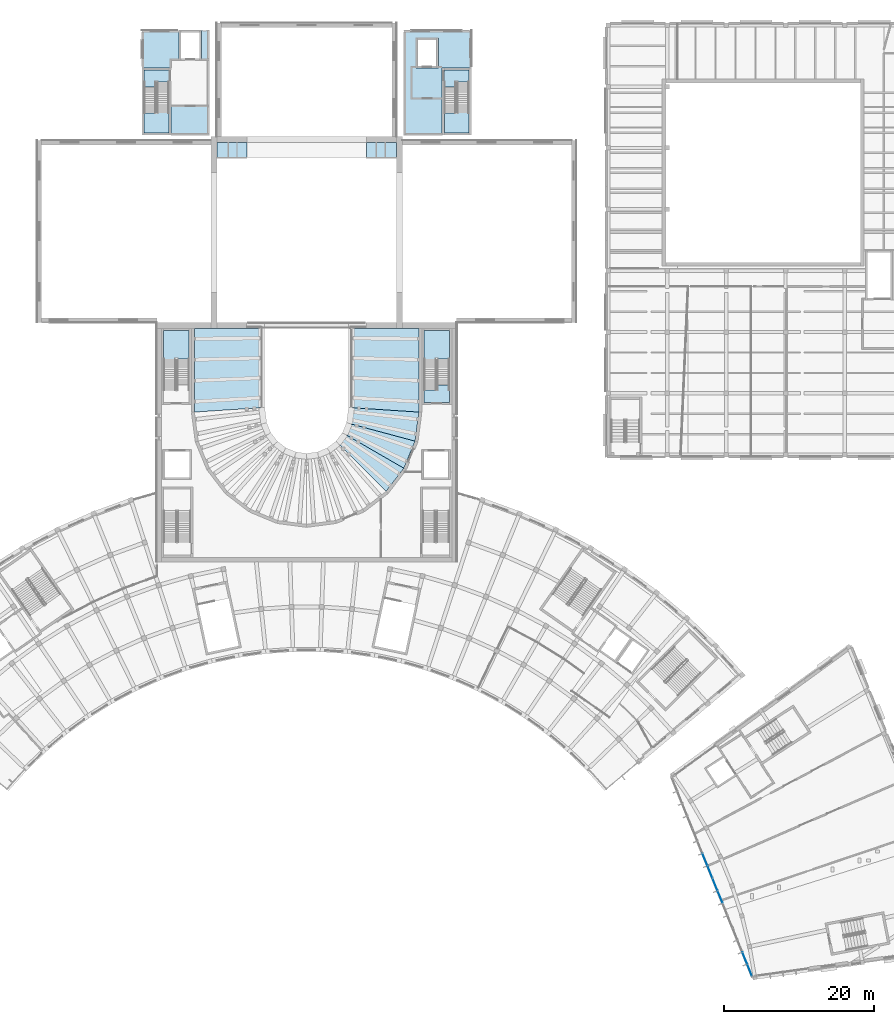
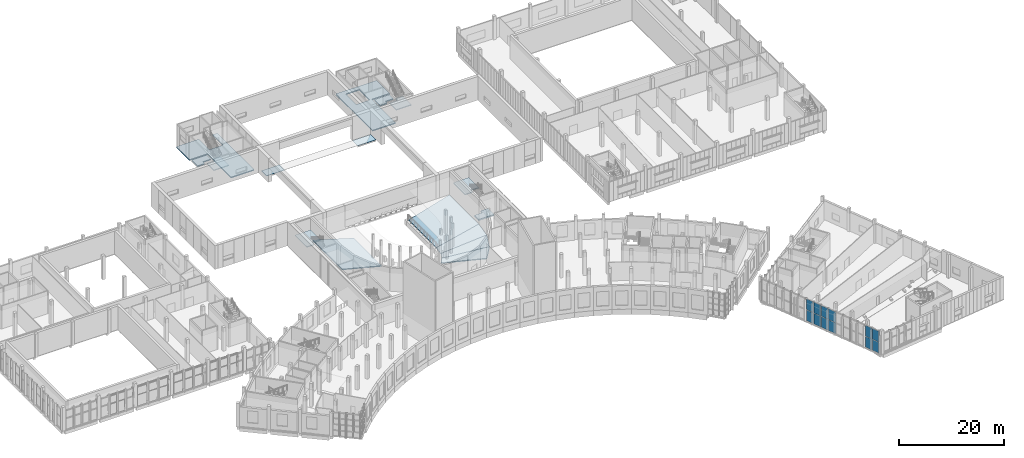
# One storey, part 28 of 87: 16 slabs, 12 plates, 7 elements without a shape of their own.
"""IFC4 building model written with IfcOpenShell, lengths in metres."""

from ifc_helpers import new_model, si_unit, direction, frame, origin, origin_2d, place, context, subcontext, project, spatial, polyline, rectangle, outline, extrude, material, layer, layer_set, type_object, element, aggregate, save


model = new_model("IFC4")

# Units and contexts
model_context = context("Model", 3, precision=1e-05, world=origin(), true_north=direction((0.0, 1.0)))
body_context = subcontext(model_context, "Body", "Model", "MODEL_VIEW")
ifc_project = project(units=[si_unit("LENGTHUNIT", "METRE"), si_unit("AREAUNIT", "SQUARE_METRE"), si_unit("VOLUMEUNIT", "CUBIC_METRE"), si_unit("PLANEANGLEUNIT", "RADIAN"), si_unit("MASSUNIT", "GRAM", prefix="KILO")], contexts=[model_context])

# Site, building, storey
site_placement = place(None, origin())
site = spatial("IfcSite", under=ifc_project, at=site_placement, CompositionType="ELEMENT")
building_placement = place(site_placement, origin())
building = spatial("IfcBuilding", under=site, at=building_placement, Name="Lunette Opera House", CompositionType="ELEMENT")
storey_placement = place(building_placement, frame((0.0, 0.0, 11.5)))
storey = spatial("IfcBuildingStorey", under=building, at=storey_placement, Name="L02", CompositionType="ELEMENT", Elevation=11.5)

# Slabs
ifc_material_1 = material(Name="Concrete C35/45", Category="concrete")
ifc_layer_1 = layer(ifc_material_1, 0.219970703125)
ifc_layer_set_1 = layer_set([ifc_layer_1], Name="Concrete C35/45")
slab_type_1 = type_object("IfcSlabType", Name="CORE LANDING SLAB 220", PredefinedType="LANDING", material=ifc_layer_set_1)
slab_1_placement = place(storey_placement, frame((0.0, 0.0, -0.219970703125)))
element("IfcSlab", 1, at=slab_1_placement, inside=storey, type_object=slab_type_1, Name="ST11 floor landing", PredefinedType="LANDING", context=body_context, shape_type="SweptSolid", body=[
    extrude(outline(polyline([(77.60009765625, 129.699951171875), (77.60009765625, 128.139892578125), (76.050048828125, 128.139892578125), (76.050048828125, 128.14990234375), (75.85009765625, 128.14990234375), (75.85009765625, 127.449951171875), (74.300048828125, 127.449951171875), (74.300048828125, 129.699951171875), (77.60009765625, 129.699951171875)])), origin(), (0.0, 0.0, 1.0), 0.219970703125),
])
slab_2_placement = place(storey_placement, frame((0.0, 0.0, -0.219970703125)))
element("IfcSlab", 2, at=slab_2_placement, inside=storey, type_object=slab_type_1, Name="ST12 floor landing", PredefinedType="LANDING", context=body_context, shape_type="SweptSolid", body=[
    extrude(outline(polyline([(117.699951171875, 128.139892578125), (116.14990234375, 128.139892578125), (116.14990234375, 128.14990234375), (115.949951171875, 128.14990234375), (115.949951171875, 127.449951171875), (114.39990234375, 127.449951171875), (114.39990234375, 129.699951171875), (117.699951171875, 129.699951171875), (117.699951171875, 128.139892578125)])), origin(), (0.0, 0.0, 1.0), 0.219970703125),
])
ifc_material_2 = material(Name="Concrete C35/45", Category="concrete")
ifc_layer_2 = layer(ifc_material_2, 0.300048828125)
ifc_layer_set_2 = layer_set([ifc_layer_2], Name="Concrete C35/45")
slab_type_2 = type_object("IfcSlabType", Name="CORE LANDING SLAB 300", PredefinedType="LANDING", material=ifc_layer_set_2)
slab_3_placement = place(storey_placement, frame((0.0, 0.0, -0.300048828125)))
element("IfcSlab", 3, at=slab_3_placement, inside=storey, type_object=slab_type_2, Name="ST9 floor landing", PredefinedType="LANDING", context=body_context, shape_type="SweptSolid", body=[
    extrude(outline(polyline([(111.699951171875, 85.300048828125), (111.699951171875, 86.929931640625), (113.320068359375, 86.929931640625), (113.320068359375, 86.919921875), (113.47998046875, 86.919921875), (113.47998046875, 87.6201171875), (115.10009765625, 87.6201171875), (115.10009765625, 85.300048828125), (111.699951171875, 85.300048828125)])), origin(), (0.0, 0.0, 1.0), 0.300048828125),
])

# Curtain wall, plates
ifc_material_3 = material(Name="Aluminium", Category="aluminium")
ifc_layer_3 = layer(ifc_material_3, 0.139892578125)
ifc_layer_set_3 = layer_set([ifc_layer_3], Name="Aluminium")
curtain_wall_type = type_object("IfcCurtainWallType", Name="STUDIO CURTAIN WALL", PredefinedType="NOTDEFINED", material=ifc_layer_set_3)
curtain_wall_1_placement = place(storey_placement, origin())
curtain_wall_1 = element("IfcCurtainWall", 4, at=curtain_wall_1_placement, inside=storey, type_object=curtain_wall_type, Name="Studio Curtain Wall F02 L02", PredefinedType="NOTDEFINED")
ifc_material_4 = material(Name="Laminated glass", Category="glass")
ifc_layer_4 = layer(ifc_material_4, 0.028076171875)
ifc_layer_set_4 = layer_set([ifc_layer_4], Name="Laminated glass")
plate_type = type_object("IfcPlateType", Name="CURTAIN PANEL LAMINATED GLASS 28", PredefinedType="CURTAIN_PANEL", material=ifc_layer_set_4)
plate_1_placement = place(storey_placement, frame((149.237060546875, 24.204833984375, 0.06005859375), z_axis=(0.0, 0.0, 1.0), x_axis=(0.374597237762, -0.927187634441, 0.0)))
plate_1 = element("IfcPlate", 5, at=plate_1_placement, type_object=plate_type, Name="SB-X2014 panel 3.1", PredefinedType="CURTAIN_PANEL", context=body_context, shape_type="SweptSolid", body=[
    extrude(rectangle(XDim=1.7265625, YDim=0.028076171875, at=origin_2d()), origin(), (0.0, 0.0, 1.0), 2.510009765625),
])
plate_2_placement = place(storey_placement, frame((149.237060546875, 24.204833984375, 2.6298828125), z_axis=(0.0, 0.0, 1.0), x_axis=(0.374597237762, -0.927187634441, 0.0)))
plate_2 = element("IfcPlate", 6, at=plate_2_placement, type_object=plate_type, Name="SB-X2014 panel 3.2", PredefinedType="CURTAIN_PANEL", context=body_context, shape_type="SweptSolid", body=[
    extrude(rectangle(XDim=1.7265625, YDim=0.028076171875, at=origin_2d()), origin(), (0.0, 0.0, 1.0), 2.510009765625),
])
plate_3_placement = place(storey_placement, frame((149.900634765625, 22.562255859375, 0.06005859375), z_axis=(0.0, 0.0, 1.0), x_axis=(0.374597237762, -0.927187634441, 0.0)))
plate_3 = element("IfcPlate", 7, at=plate_3_placement, type_object=plate_type, Name="SB-X2014 panel 4.1", PredefinedType="CURTAIN_PANEL", context=body_context, shape_type="SweptSolid", body=[
    extrude(rectangle(XDim=1.696533203125, YDim=0.028076171875, at=origin_2d()), origin(), (0.0, 0.0, 1.0), 2.510009765625),
])
plate_4_placement = place(storey_placement, frame((149.900634765625, 22.562255859375, 2.6298828125), z_axis=(0.0, 0.0, 1.0), x_axis=(0.374597237762, -0.927187634441, 0.0)))
plate_4 = element("IfcPlate", 8, at=plate_4_placement, type_object=plate_type, Name="SB-X2014 panel 4.2", PredefinedType="CURTAIN_PANEL", context=body_context, shape_type="SweptSolid", body=[
    extrude(rectangle(XDim=1.696533203125, YDim=0.028076171875, at=origin_2d()), origin(), (0.0, 0.0, 1.0), 2.510009765625),
])
aggregate(curtain_wall_1, [plate_1, plate_2, plate_3, plate_4])

curtain_wall_2_placement = place(storey_placement, origin())
curtain_wall_2 = element("IfcCurtainWall", 9, at=curtain_wall_2_placement, inside=storey, type_object=curtain_wall_type, Name="Studio Curtain Wall F03 L02", PredefinedType="NOTDEFINED")
plate_5_placement = place(storey_placement, frame((150.59228515625, 20.849853515625, 0.06005859375), z_axis=(0.0, 0.0, 1.0), x_axis=(0.37464584491, -0.927167994967, 0.0)))
plate_5 = element("IfcPlate", 10, at=plate_5_placement, type_object=plate_type, Name="SB-X2015 panel 1.1", PredefinedType="CURTAIN_PANEL", context=body_context, shape_type="SweptSolid", body=[
    extrude(rectangle(XDim=1.6962890625, YDim=0.028076171875, at=origin_2d()), origin(), (0.0, 0.0, 1.0), 2.510009765625),
])
plate_6_placement = place(storey_placement, frame((150.59228515625, 20.849853515625, 2.6298828125), z_axis=(0.0, 0.0, 1.0), x_axis=(0.37464584491, -0.927167994967, 0.0)))
plate_6 = element("IfcPlate", 11, at=plate_6_placement, type_object=plate_type, Name="SB-X2015 panel 1.2", PredefinedType="CURTAIN_PANEL", context=body_context, shape_type="SweptSolid", body=[
    extrude(rectangle(XDim=1.6962890625, YDim=0.028076171875, at=origin_2d()), origin(), (0.0, 0.0, 1.0), 2.510009765625),
])
plate_7_placement = place(storey_placement, frame((151.255859375, 19.20751953125, 0.06005859375), z_axis=(0.0, 0.0, 1.0), x_axis=(0.37464584491, -0.927167994967, 0.0)))
plate_7 = element("IfcPlate", 12, at=plate_7_placement, type_object=plate_type, Name="SB-X2015 panel 2.1", PredefinedType="CURTAIN_PANEL", context=body_context, shape_type="SweptSolid", body=[
    extrude(rectangle(XDim=1.726318359375, YDim=0.028076171875, at=origin_2d()), origin(), (0.0, 0.0, 1.0), 2.510009765625),
])
plate_8_placement = place(storey_placement, frame((151.255859375, 19.20751953125, 2.6298828125), z_axis=(0.0, 0.0, 1.0), x_axis=(0.37464584491, -0.927167994967, 0.0)))
plate_8 = element("IfcPlate", 13, at=plate_8_placement, type_object=plate_type, Name="SB-X2015 panel 2.2", PredefinedType="CURTAIN_PANEL", context=body_context, shape_type="SweptSolid", body=[
    extrude(rectangle(XDim=1.726318359375, YDim=0.028076171875, at=origin_2d()), origin(), (0.0, 0.0, 1.0), 2.510009765625),
])
aggregate(curtain_wall_2, [plate_5, plate_6, plate_7, plate_8])

curtain_wall_3_placement = place(storey_placement, origin())
curtain_wall_3 = element("IfcCurtainWall", 14, at=curtain_wall_3_placement, inside=storey, type_object=curtain_wall_type, Name="Studio Curtain Wall F04 L02", PredefinedType="NOTDEFINED")
plate_9_placement = place(storey_placement, frame((154.556884765625, 11.037109375, 0.06005859375), z_axis=(0.0, 0.0, 1.0), x_axis=(0.374609092545, -0.927182844849, 0.0)))
plate_9 = element("IfcPlate", 15, at=plate_9_placement, type_object=plate_type, Name="SB-X2016 panel 3.1", PredefinedType="CURTAIN_PANEL", context=body_context, shape_type="SweptSolid", body=[
    extrude(rectangle(XDim=1.66650390625, YDim=0.028076171875, at=origin_2d()), origin(), (0.0, 0.0, 1.0), 2.510009765625),
])
plate_10_placement = place(storey_placement, frame((154.556884765625, 11.037109375, 2.6298828125), z_axis=(0.0, 0.0, 1.0), x_axis=(0.374609092545, -0.927182844849, 0.0)))
plate_10 = element("IfcPlate", 16, at=plate_10_placement, type_object=plate_type, Name="SB-X2016 panel 3.2", PredefinedType="CURTAIN_PANEL", context=body_context, shape_type="SweptSolid", body=[
    extrude(rectangle(XDim=1.66650390625, YDim=0.028076171875, at=origin_2d()), origin(), (0.0, 0.0, 1.0), 2.510009765625),
])
plate_11_placement = place(storey_placement, frame((155.197998046875, 9.4501953125, 0.06005859375), z_axis=(0.0, 0.0, 1.0), x_axis=(0.374609092545, -0.927182844849, 0.0)))
plate_11 = element("IfcPlate", 17, at=plate_11_placement, type_object=plate_type, Name="SB-X2016 panel 4.1", PredefinedType="CURTAIN_PANEL", context=body_context, shape_type="SweptSolid", body=[
    extrude(rectangle(XDim=1.636474609375, YDim=0.028076171875, at=origin_2d()), origin(), (0.0, 0.0, 1.0), 2.510009765625),
])
plate_12_placement = place(storey_placement, frame((155.197998046875, 9.4501953125, 2.6298828125), z_axis=(0.0, 0.0, 1.0), x_axis=(0.374609092545, -0.927182844849, 0.0)))
plate_12 = element("IfcPlate", 18, at=plate_12_placement, type_object=plate_type, Name="SB-X2016 panel 4.2", PredefinedType="CURTAIN_PANEL", context=body_context, shape_type="SweptSolid", body=[
    extrude(rectangle(XDim=1.636474609375, YDim=0.028076171875, at=origin_2d()), origin(), (0.0, 0.0, 1.0), 2.510009765625),
])
aggregate(curtain_wall_3, [plate_9, plate_10, plate_11, plate_12])

# Slabs
ifc_material_5 = material(Name="Concrete C35/45", Category="concrete")
ifc_layer_5 = layer(ifc_material_5, 0.219970703125)
ifc_layer_set_5 = layer_set([ifc_layer_5], Name="Concrete C35/45")
slab_type_3 = type_object("IfcSlabType", Name="FLOOR SLAB 220", PredefinedType="FLOOR", material=ifc_layer_set_5)
slab_4_placement = place(storey_placement, frame((0.0, 0.0, -0.219970703125)))
element("IfcSlab", 19, at=slab_4_placement, inside=storey, type_object=slab_type_3, Name="slab-ST-L02-F1", PredefinedType="FLOOR", context=body_context, shape_type="SweptSolid", body=[
    extrude(outline(polyline([(78.949951171875, 135.0), (74.0, 135.0), (74.0, 130.0), (77.89990234375, 130.0), (77.89990234375, 121.0), (83.0, 121.0), (83.0, 135.0), (81.949951171875, 135.0), (81.949951171875, 131.0), (78.949951171875, 131.0), (78.949951171875, 135.0)])), origin(), (0.0, 0.0, 1.0), 0.219970703125),
])
slab_5_placement = place(storey_placement, frame((0.0, 0.0, -0.219970703125)))
element("IfcSlab", 20, at=slab_5_placement, inside=storey, type_object=slab_type_3, Name="slab-ST-L02-F2", PredefinedType="FLOOR", context=body_context, shape_type="SweptSolid", body=[
    extrude(outline(polyline([(109.0, 121.0), (114.10009765625, 121.0), (114.10009765625, 130.0), (118.0, 130.0), (118.0, 135.0), (109.0, 135.0), (109.0, 121.0)]), holes=[polyline([(110.60009765625, 130.0), (110.60009765625, 134.0), (113.60009765625, 134.0), (113.60009765625, 130.0), (110.60009765625, 130.0)])]), origin(), (0.0, 0.0, 1.0), 0.219970703125),
])
ifc_material_6 = material(Name="Steel S235 grating", Category="steel")
ifc_layer_6 = layer(ifc_material_6, 0.06005859375)
ifc_layer_set_6 = layer_set([ifc_layer_6], Name="Steel S235 grating")
slab_type_4 = type_object("IfcSlabType", Name="GALLERY GRATING 60", PredefinedType="LANDING", material=ifc_layer_set_6)
slab_6_placement = place(storey_placement, frame((0.0, 0.0, -0.06005859375)))
element("IfcSlab", 21, at=slab_6_placement, inside=storey, type_object=slab_type_4, Name="slab-ST-L02-FG1-1", PredefinedType="LANDING", context=body_context, shape_type="SweptSolid", body=[
    extrude(outline(polyline([(88.0, 118.0), (88.0, 120.0), (84.0, 120.0), (84.0, 118.0), (88.0, 118.0)])), origin(), (0.0, 0.0, 1.0), 0.06005859375),
])
slab_7_placement = place(storey_placement, frame((0.0, 0.0, -0.06005859375)))
element("IfcSlab", 22, at=slab_7_placement, inside=storey, type_object=slab_type_4, Name="slab-ST-L02-FG1-2", PredefinedType="LANDING", context=body_context, shape_type="SweptSolid", body=[
    extrude(outline(polyline([(108.0, 118.0), (108.0, 120.0), (104.0, 120.0), (104.0, 118.0), (108.0, 118.0)])), origin(), (0.0, 0.0, 1.0), 0.06005859375),
])

# Stair, slab
ifc_material_7 = material(Name="Concrete C35/45", Category="concrete")
stair_type_1 = type_object("IfcStairType", Name="DOGLEG STAIR 1620", PredefinedType="HALF_TURN_STAIR", material=ifc_material_7)
stair_1_placement = place(storey_placement, origin())
stair_1 = element("IfcStair", 23, at=stair_1_placement, inside=storey, type_object=stair_type_1, Name="L02 stair ST10", PredefinedType="HALF_TURN_STAIR")
ifc_material_8 = material(Name="Concrete C35/45", Category="concrete")
ifc_layer_7 = layer(ifc_material_8, 0.199951171875)
ifc_layer_set_7 = layer_set([ifc_layer_7], Name="Concrete C35/45")
slab_type_5 = type_object("IfcSlabType", Name="STAIR LANDING SLAB 200", PredefinedType="LANDING", material=ifc_layer_set_7)
slab_8_placement = place(storey_placement, frame((0.0, 0.0, 2.550048828125)))
slab_8 = element("IfcSlab", 24, at=slab_8_placement, type_object=slab_type_5, Name="ST10 landing 1", PredefinedType="LANDING", context=body_context, shape_type="SweptSolid", body=[
    extrude(outline(polyline([(80.300048828125, 91.110107421875), (78.679931640625, 91.110107421875), (78.679931640625, 91.1201171875), (78.52001953125, 91.1201171875), (78.52001953125, 90.419921875), (76.89990234375, 90.419921875), (76.89990234375, 94.89990234375), (80.300048828125, 94.89990234375), (80.300048828125, 91.110107421875)])), origin(), (0.0, 0.0, 1.0), 0.199951171875),
])
aggregate(stair_1, [slab_8])

ifc_material_9 = material(Name="Concrete C35/45", Category="concrete")
stair_type_2 = type_object("IfcStairType", Name="DOGLEG STAIR 1550", PredefinedType="HALF_TURN_STAIR", material=ifc_material_9)
stair_2_placement = place(storey_placement, origin())
stair_2 = element("IfcStair", 25, at=stair_2_placement, inside=storey, type_object=stair_type_2, Name="L02 stair ST11", PredefinedType="HALF_TURN_STAIR")
slab_9_placement = place(storey_placement, frame((0.0, 0.0, 2.550048828125)))
slab_9 = element("IfcSlab", 26, at=slab_9_placement, type_object=slab_type_5, Name="ST11 landing 1", PredefinedType="LANDING", context=body_context, shape_type="SweptSolid", body=[
    extrude(outline(polyline([(74.300048828125, 121.300048828125), (74.300048828125, 123.9599609375), (75.85009765625, 123.9599609375), (75.85009765625, 123.949951171875), (76.050048828125, 123.949951171875), (76.050048828125, 124.64990234375), (77.60009765625, 124.64990234375), (77.60009765625, 121.300048828125), (74.300048828125, 121.300048828125)])), origin(), (0.0, 0.0, 1.0), 0.199951171875),
])
aggregate(stair_2, [slab_9])

stair_3_placement = place(storey_placement, origin())
stair_3 = element("IfcStair", 27, at=stair_3_placement, inside=storey, type_object=stair_type_2, Name="L02 stair ST12", PredefinedType="HALF_TURN_STAIR")
slab_10_placement = place(storey_placement, frame((0.0, 0.0, 2.550048828125)))
slab_10 = element("IfcSlab", 28, at=slab_10_placement, type_object=slab_type_5, Name="ST12 landing 1", PredefinedType="LANDING", context=body_context, shape_type="SweptSolid", body=[
    extrude(outline(polyline([(114.39990234375, 121.300048828125), (114.39990234375, 123.9599609375), (115.949951171875, 123.9599609375), (115.949951171875, 123.949951171875), (116.14990234375, 123.949951171875), (116.14990234375, 124.64990234375), (117.699951171875, 124.64990234375), (117.699951171875, 121.300048828125), (114.39990234375, 121.300048828125)])), origin(), (0.0, 0.0, 1.0), 0.199951171875),
])
aggregate(stair_3, [slab_10])

stair_4_placement = place(storey_placement, origin())
stair_4 = element("IfcStair", 29, at=stair_4_placement, inside=storey, type_object=stair_type_1, Name="L02 stair ST9", PredefinedType="HALF_TURN_STAIR")
slab_11_placement = place(storey_placement, frame((0.0, 0.0, 2.550048828125)))
slab_11 = element("IfcSlab", 30, at=slab_11_placement, type_object=slab_type_5, Name="ST9 landing 1", PredefinedType="LANDING", context=body_context, shape_type="SweptSolid", body=[
    extrude(outline(polyline([(115.10009765625, 94.89990234375), (115.10009765625, 91.110107421875), (113.47998046875, 91.110107421875), (113.47998046875, 91.1201171875), (113.320068359375, 91.1201171875), (113.320068359375, 90.419921875), (111.699951171875, 90.419921875), (111.699951171875, 94.89990234375), (115.10009765625, 94.89990234375)])), origin(), (0.0, 0.0, 1.0), 0.199951171875),
])
aggregate(stair_4, [slab_11])

# Slabs
ifc_material_10 = material(Name="Concrete C35/45", Category="concrete")
ifc_layer_8 = layer(ifc_material_10, 0.199951171875)
ifc_layer_set_8 = layer_set([ifc_layer_8], Name="Concrete C35/45")
slab_type_6 = type_object("IfcSlabType", Name="TIER SLAB 200", PredefinedType="FLOOR", material=ifc_layer_set_8)
slab_12_placement = place(storey_placement, frame((81.0, 95.199951171875, 0.0), z_axis=(0.287343118088, 0.0, 0.957827715452), x_axis=(0.0, -1.0, 0.0)))
element("IfcSlab", 31, at=slab_12_placement, inside=storey, type_object=slab_type_6, Name="slab-AU-L02-T1-01", PredefinedType="FLOOR", context=body_context, shape_type="SweptSolid", body=[
    extrude(outline(polyline([(0.0, 0.0), (11.199951171875, 0.0), (10.60986328125, 9.396261827477414), (0.0, 9.396261827477414), (0.0, 0.0)])), origin(), (0.0, 0.0, -1.0), 0.199951171875),
])
slab_13_placement = place(storey_placement, frame((106.60693359375, 73.39306640625, 0.0), z_axis=(-0.22800640681, 0.17487084434, 0.957827367668), x_axis=(0.608601979405, 0.793475664761, 9.804524e-06)))
element("IfcSlab", 32, at=slab_13_placement, inside=storey, type_object=slab_type_6, Name="slab-AU-L02-T1-11", PredefinedType="FLOOR", context=body_context, shape_type="SweptSolid", body=[
    extrude(outline(polyline([(0.0, 0.0), (3.9156091871882097, 0.0), (2.732947076873332, 9.396317174831406), (1.1866676042862887, 9.396130808772918), (0.0, 0.0)])), origin(), (0.0, 0.0, -1.0), 0.199951171875),
])
slab_14_placement = place(storey_placement, frame((108.989990234375, 76.5, 0.0), z_axis=(-0.265461233562, 0.110009457396, 0.957824750546), x_axis=(0.382782508552, 0.923838487415, -1.7804735e-05)))
element("IfcSlab", 33, at=slab_14_placement, inside=storey, type_object=slab_type_6, Name="slab-AU-L02-T1-12", PredefinedType="FLOOR", context=body_context, shape_type="SweptSolid", body=[
    extrude(outline(polyline([(0.0, 0.0), (3.916173619998859, 2.220446049250313e-16), (2.730167715783552, 9.39576951281199), (1.184323258720519, 9.396107945972462), (0.0, 0.0)])), origin(), (0.0, 0.0, -1.0), 0.199951171875),
])
slab_15_placement = place(storey_placement, frame((110.489013671875, 80.117919921875, 0.0), z_axis=(-0.284893347547, 0.037480785163, 0.95782616965), x_axis=(0.130495960847, 0.991448840779, 1.7905259e-05)))
element("IfcSlab", 34, at=slab_15_placement, inside=storey, type_object=slab_type_6, Name="slab-AU-L02-T1-13", PredefinedType="FLOOR", context=body_context, shape_type="SweptSolid", body=[
    extrude(outline(polyline([(0.0, 0.0), (3.9155654451366275, -5.551115123125783e-17), (3.3260954093092314, 9.39630060825405), (1.184787791471757, 9.395923192099964), (0.0, 0.0)])), origin(), (0.0, 0.0, -1.0), 0.199951171875),
])
slab_16_placement = place(storey_placement, frame((111.0, 84.0, 0.0), z_axis=(-0.287343118088, 0.0, 0.957827715452), x_axis=(0.0, 1.0, 0.0)))
element("IfcSlab", 35, at=slab_16_placement, inside=storey, type_object=slab_type_6, Name="slab-AU-L02-T1-14", PredefinedType="FLOOR", context=body_context, shape_type="SweptSolid", body=[
    extrude(outline(polyline([(0.0, 0.0), (11.199951171875, 0.0), (11.199951171875, 9.396261827477414), (0.590087890625, 9.396261827477414), (0.0, 0.0)])), origin(), (0.0, 0.0, -1.0), 0.199951171875),
])

save(model, "model.ifc")
